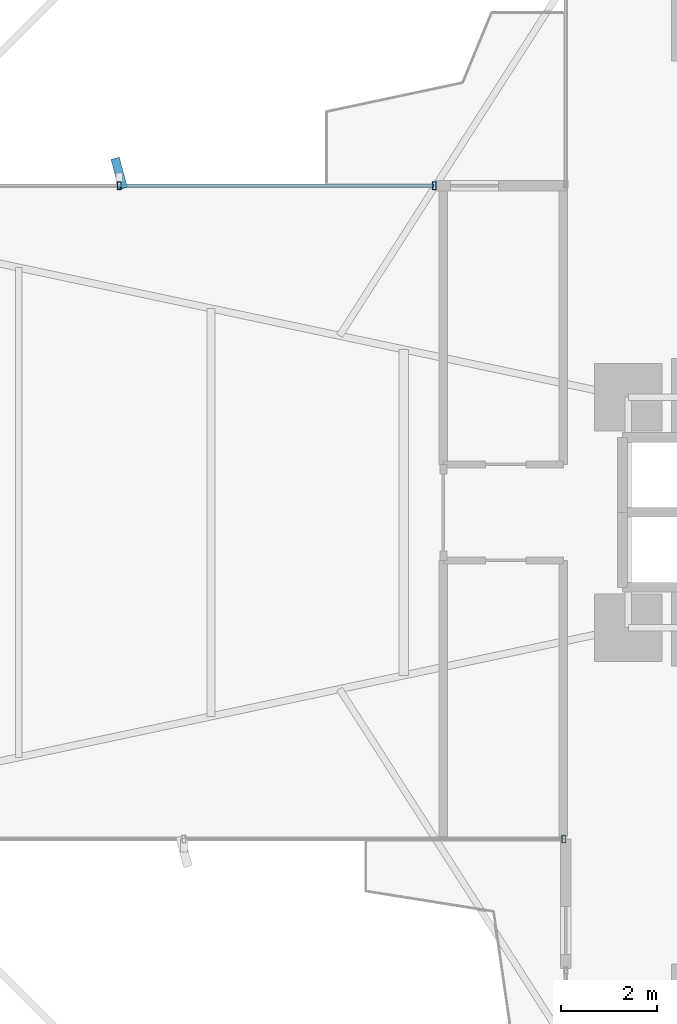
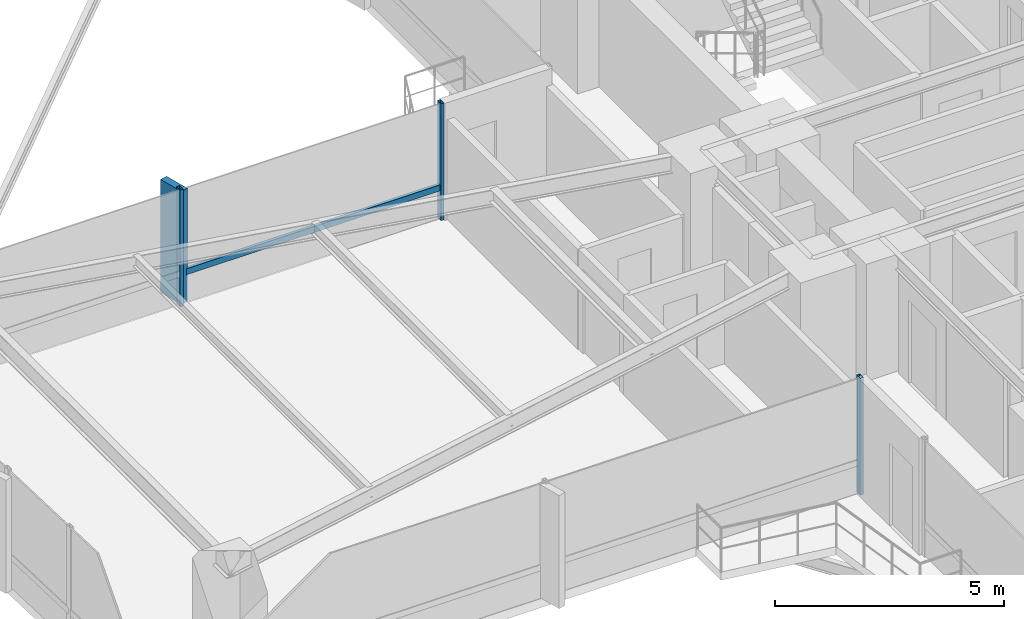
# One storey, part 10 of 25: 5 members, 2 elements without a shape of their own.
"""IFC4 building model written with IfcOpenShell, lengths in metres."""

from ifc_helpers import new_model, si_unit, direction, frame, origin, origin_2d, place, context, subcontext, project, spatial, rectangle, hollow_rectangle, extrude, source, transform, mapped, material, material_profile, profile_set, type_object, element, aggregate, save


model = new_model("IFC4")

# Units and contexts
model_context = context("Model", 3, precision=1e-05, world=origin(), true_north=direction((0.0, 1.0)))
body_context = subcontext(model_context, "Body", "Model", "MODEL_VIEW")
ifc_project = project(units=[si_unit("LENGTHUNIT", "METRE"), si_unit("AREAUNIT", "SQUARE_METRE"), si_unit("VOLUMEUNIT", "CUBIC_METRE"), si_unit("PLANEANGLEUNIT", "RADIAN"), si_unit("MASSUNIT", "GRAM", prefix="KILO")], contexts=[model_context])

# Site, building, storey
site_placement = place(None, origin())
site = spatial("IfcSite", under=ifc_project, at=site_placement, CompositionType="ELEMENT")
building_placement = place(site_placement, origin())
building = spatial("IfcBuilding", under=site, at=building_placement, Name="Sahyath Konkavel Grand Hotel", CompositionType="ELEMENT")
storey_placement = place(building_placement, frame((0.0, 0.0, 64.449951171875)))
storey = spatial("IfcBuildingStorey", under=building, at=storey_placement, Name="L17", CompositionType="ELEMENT", Elevation=64.449951171875)

# Curtain wall, members
ifc_material_1 = material(Name="Anodised Bronze Aluminium & Low-E Glazing", Category="aluminium")
curtain_wall_type = type_object("IfcCurtainWallType", Name="CW-ZONE1", PredefinedType="NOTDEFINED", material=ifc_material_1)
curtain_wall_1_placement = place(storey_placement, origin())
curtain_wall_1 = element("IfcCurtainWall", 1, at=curtain_wall_1_placement, inside=storey, type_object=curtain_wall_type, Name="L17 Unitised Curtain Wall F16", PredefinedType="NOTDEFINED")
ifc_material_2 = material(Name="Warm Buff Sandstone Cladding on Concrete C50/60", Category="masonry")
ifc_material_profile_1 = material_profile(ifc_material_2, rectangle(XDim=0.179931640625, YDim=0.64990234375, at=origin_2d()), Name="FIN 180x650")
ifc_profile_set_1 = profile_set([ifc_material_profile_1], Name="Warm Buff Sandstone Cladding on Concrete C50/60")
member_type_1 = type_object("IfcMemberType", Name="FIN-SANDSTONE-650", PredefinedType="MULLION", material=ifc_profile_set_1)
shared_shape_1 = source(origin(), body_context, "Body", "SweptSolid", [
    extrude(rectangle(XDim=0.179931640625, YDim=0.64990234375, at=origin_2d()), origin(), (0.0, 0.0, 1.0), 3.010009765625),
])
member_1_placement = place(storey_placement, frame((-16.10009765625, 7.06005859375, 0.050048828125), z_axis=(0.0, 0.0, 1.0), x_axis=(0.966420942741, 0.256964124795, 0.0)))
member_1 = element("IfcMember", 2, at=member_1_placement, type_object=member_type_1, Name="L17 Sandstone Vertical Solar Fin FIN F16-1", PredefinedType="MULLION", context=body_context, shape_type="MappedRepresentation", body=[
    mapped(shared_shape_1, transform((0.0, 0.0, 0.0), scale=1.0)),
])
ifc_material_3 = material(Name="Anodised Bronze Aluminium", Category="aluminium")
ifc_material_profile_2 = material_profile(ifc_material_3, hollow_rectangle(XDim=0.080078125, YDim=0.159912109375, WallThickness=0.006103515625, at=origin_2d()), Name="RHS 160x80x6")
ifc_profile_set_2 = profile_set([ifc_material_profile_2], Name="Anodised Bronze Aluminium")
member_type_2 = type_object("IfcMemberType", Name="CW-MUL-160", PredefinedType="MULLION", material=ifc_profile_set_2)
shared_shape_2 = source(origin(), body_context, "Body", "SweptSolid", [
    extrude(hollow_rectangle(XDim=0.080078125, YDim=0.159912109375, WallThickness=0.006103515625, at=origin_2d()), origin(), (0.0, 0.0, 1.0), 3.110107421875),
])
member_2_placement = place(storey_placement, frame((-9.5400390625, 6.800048828125, 0.0), z_axis=(0.0, 0.0, 1.0), x_axis=(1.0, 0.0, 0.0)))
member_2 = element("IfcMember", 3, at=member_2_placement, type_object=member_type_2, Name="L17 Curtain Wall Mullion F16-0", PredefinedType="MULLION", context=body_context, shape_type="MappedRepresentation", body=[
    mapped(shared_shape_2, transform((0.0, 0.0, 0.0), scale=1.0)),
])
member_3_placement = place(storey_placement, frame((-16.10009765625, 6.800048828125, 0.0), z_axis=(0.0, 0.0, 1.0), x_axis=(1.0, 0.0, 0.0)))
member_3 = element("IfcMember", 4, at=member_3_placement, type_object=member_type_2, Name="L17 Curtain Wall Mullion F16-1", PredefinedType="MULLION", context=body_context, shape_type="MappedRepresentation", body=[
    mapped(shared_shape_2, transform((0.0, 0.0, 0.0), scale=1.0)),
])

# Curtain wall, member
curtain_wall_2_placement = place(storey_placement, origin())
curtain_wall_2 = element("IfcCurtainWall", 5, at=curtain_wall_2_placement, inside=storey, type_object=curtain_wall_type, Name="L17 Unitised Curtain Wall F23", PredefinedType="NOTDEFINED")
member_4_placement = place(storey_placement, frame((-6.840087890625, -6.800048828125, 0.0), z_axis=(0.0, 0.0, 1.0), x_axis=(1.0, 0.0, 0.0)))
member_4 = element("IfcMember", 6, at=member_4_placement, type_object=member_type_2, Name="L17 Curtain Wall Mullion F23-2", PredefinedType="MULLION", context=body_context, shape_type="MappedRepresentation", body=[
    mapped(shared_shape_2, transform((0.0, 0.0, 0.0), scale=1.0)),
])
aggregate(curtain_wall_2, [member_4])

# Member
ifc_material_profile_3 = material_profile(ifc_material_3, hollow_rectangle(XDim=0.080078125, YDim=0.159912109375, WallThickness=0.006103515625, at=origin_2d()), Name="RHS 160x80x6")
ifc_profile_set_3 = profile_set([ifc_material_profile_3], Name="Anodised Bronze Aluminium")
member_type_3 = type_object("IfcMemberType", Name="CW-TRN-160", PredefinedType="USERDEFINED", material=ifc_profile_set_3)
shared_shape_3 = source(origin(), body_context, "Body", "SweptSolid", [
    extrude(hollow_rectangle(XDim=0.080078125, YDim=0.159912109375, WallThickness=0.006103515625, at=origin_2d()), origin(), (0.0, 0.0, 1.0), 6.56005859375),
])
member_5_placement = place(storey_placement, frame((-9.5400390625, 6.800048828125, 0.85009765625), z_axis=(-1.0, 0.0, 0.0), x_axis=(0.0, -1.0, 0.0)))
member_5 = element("IfcMember", 7, at=member_5_placement, type_object=member_type_3, Name="L17 Curtain Wall Transom F16-0-spandrel", ObjectType="TRANSOM", PredefinedType="USERDEFINED", context=body_context, shape_type="MappedRepresentation", body=[
    mapped(shared_shape_3, transform((0.0, 0.0, 0.0), scale=1.0)),
])

aggregate(curtain_wall_1, [member_2, member_3, member_1, member_5])

save(model, "model.ifc")
